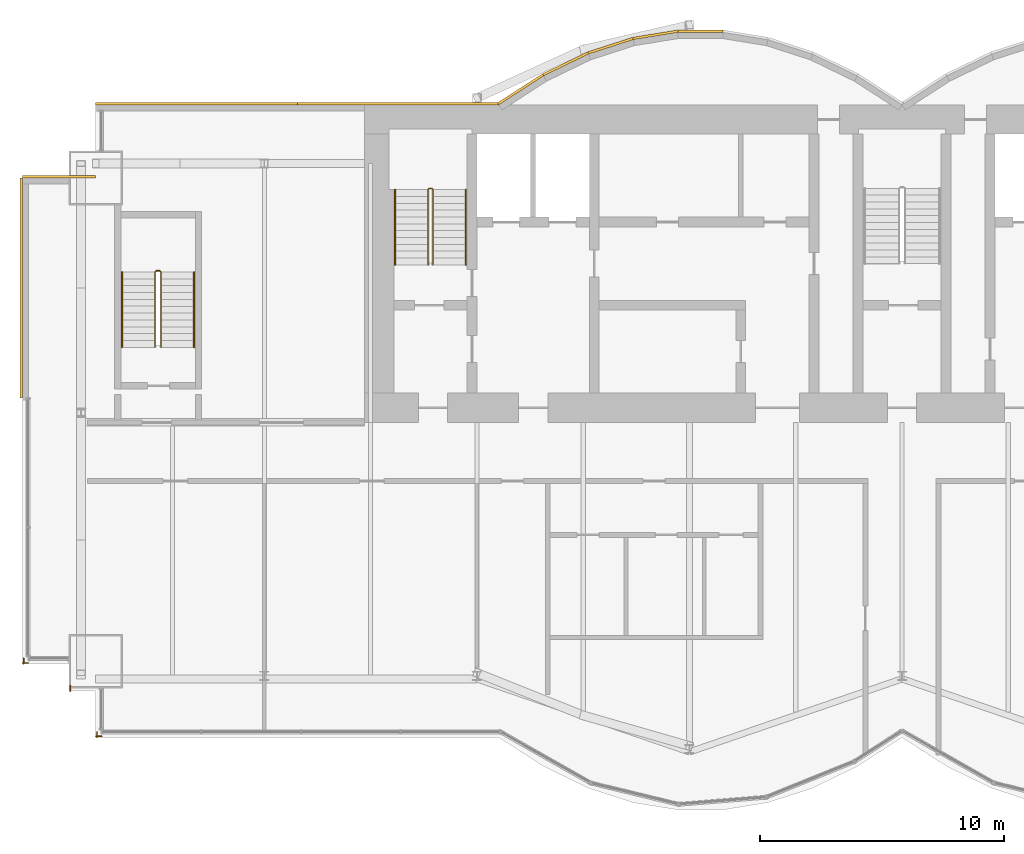
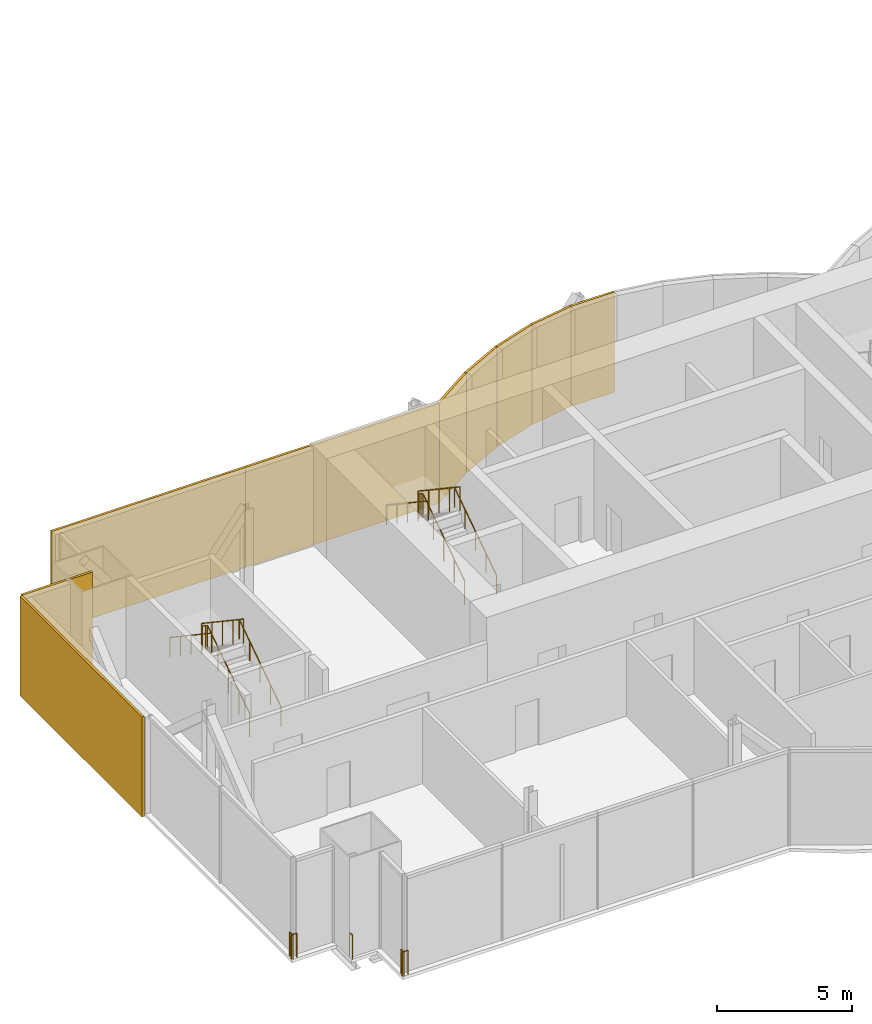
# One storey, part 15 of 17: 9 coverings, 9 railings.
"""IFC4 building model written with IfcOpenShell, lengths in metres."""

from ifc_helpers import new_model, si_unit, direction, frame, origin, origin_2d, place, context, subcontext, project, spatial, rectangle, circle, extrude, material, layer, layer_set, type_object, element, save


model = new_model("IFC4")

# Units and contexts
model_context = context("Model", 3, precision=1e-05, world=origin(), true_north=direction((0.0, 1.0)))
body_context = subcontext(model_context, "Body", "Model", "MODEL_VIEW")
ifc_project = project(units=[si_unit("LENGTHUNIT", "METRE"), si_unit("AREAUNIT", "SQUARE_METRE"), si_unit("VOLUMEUNIT", "CUBIC_METRE"), si_unit("PLANEANGLEUNIT", "RADIAN"), si_unit("MASSUNIT", "GRAM", prefix="KILO")], contexts=[model_context])

# Site, building, storey
site_placement = place(None, origin())
site = spatial("IfcSite", under=ifc_project, at=site_placement, CompositionType="ELEMENT")
building_placement = place(site_placement, origin())
building = spatial("IfcBuilding", under=site, at=building_placement, Name="Bicima Exchange Tower", CompositionType="ELEMENT")
storey_placement = place(building_placement, frame((0.0, 0.0, 320.0)))
storey = spatial("IfcBuildingStorey", under=building, at=storey_placement, Name="L72", CompositionType="ELEMENT", Elevation=320.0)

# Coverings
ifc_material_1 = material(Name="Bronze metal cladding")
ifc_layer_1 = layer(ifc_material_1, 0.004)
ifc_material_2 = material(Name="Ventilated cavity")
ifc_layer_2 = layer(ifc_material_2, 0.06)
ifc_material_3 = material(Name="Galvanised steel rail and mineral wool", Category="steel")
ifc_layer_3 = layer(ifc_material_3, 0.036)
ifc_layer_set = layer_set([ifc_layer_1, ifc_layer_2, ifc_layer_3], Name="Ventilated cavity")
covering_type = type_object("IfcCoveringType", Name="Bronze metal cladding panel 100", PredefinedType="CLADDING", material=ifc_layer_set)
covering_1_placement = place(storey_placement, frame((-8.25, 3.012939453125, -0.14990234375), z_axis=(0.0, 0.0, 1.0), x_axis=(-1.0, 0.0, 0.0)))
element("IfcCovering", 1, at=covering_1_placement, inside=storey, type_object=covering_type, Name="Bronze cladding L72 15.1", PredefinedType="CLADDING", context=body_context, shape_type="SweptSolid", body=[
    extrude(rectangle(XDim=1.83349609375, YDim=0.10009765625, at=origin_2d()), origin(), (0.0, 0.0, 1.0), 4.5),
])
covering_2_placement = place(storey_placement, frame((-10.09130859375, 2.8642578125, -0.14990234375), z_axis=(0.0, 0.0, 1.0), x_axis=(-0.987189786347, -0.159550386184, 0.0)))
element("IfcCovering", 2, at=covering_2_placement, inside=storey, type_object=covering_type, Name="Bronze cladding L72 16.1", PredefinedType="CLADDING", context=body_context, shape_type="SweptSolid", body=[
    extrude(rectangle(XDim=1.857177734375, YDim=0.10009765625, at=origin_2d()), origin(), (0.0, 0.0, 1.0), 4.5),
])
covering_3_placement = place(storey_placement, frame((-11.931884765625, 2.41796875, -0.14990234375), z_axis=(0.0, 0.0, 1.0), x_axis=(-0.951524642381, -0.307572519808, 0.0)))
element("IfcCovering", 3, at=covering_3_placement, inside=storey, type_object=covering_type, Name="Bronze cladding L72 17.1", PredefinedType="CLADDING", context=body_context, shape_type="SweptSolid", body=[
    extrude(rectangle(XDim=1.9267578125, YDim=0.10009765625, at=origin_2d()), origin(), (0.0, 0.0, 1.0), 4.5),
])
covering_4_placement = place(storey_placement, frame((-13.771728515625, 1.674560546875, -0.14990234375), z_axis=(0.0, 0.0, 1.0), x_axis=(-0.899818346812, -0.436264762204, 0.0)))
element("IfcCovering", 4, at=covering_4_placement, inside=storey, type_object=covering_type, Name="Bronze cladding L72 18.1", PredefinedType="CLADDING", context=body_context, shape_type="SweptSolid", body=[
    extrude(rectangle(XDim=2.03759765625, YDim=0.10009765625, at=origin_2d()), origin(), (0.0, 0.0, 1.0), 4.5),
])
covering_5_placement = place(storey_placement, frame((-15.610595703125, 0.634521484375, -0.14990234375), z_axis=(0.0, 0.0, 1.0), x_axis=(-0.839790466384, -0.542910648791, 0.0)))
element("IfcCovering", 5, at=covering_5_placement, inside=storey, type_object=covering_type, Name="Bronze cladding L72 19.1", PredefinedType="CLADDING", context=body_context, shape_type="SweptSolid", body=[
    extrude(rectangle(XDim=2.18310546875, YDim=0.10009765625, at=origin_2d()), origin(), (0.0, 0.0, 1.0), 4.5),
])
for number, where, z_axis, x_axis, name in (
    (6, (-20.625, 0.050048828125, -0.14990234375), (0.0, 0.0, 1.0), (-1.0, 0.0, 0.0), "Bronze cladding L72 20.1"),
    (7, (-28.875, 0.050048828125, -0.14990234375), (0.0, 0.0, 1.0), (-1.0, 0.0, 0.0), "Bronze cladding L72 20.2"),
):
    element("IfcCovering", number, at=place(storey_placement, frame(where, z_axis=z_axis, x_axis=x_axis)), inside=storey, type_object=covering_type, Name=name, PredefinedType="CLADDING", context=body_context, shape_type="SweptSolid", body=[
        extrude(rectangle(XDim=8.25, YDim=0.10009765625, at=origin_2d()), origin(), (0.0, 0.0, 1.0), 4.5),
    ])
covering_6_placement = place(storey_placement, frame((-34.5, -2.949951171875, -0.14990234375), z_axis=(0.0, 0.0, 1.0), x_axis=(-1.0, 0.0, 0.0)))
element("IfcCovering", 8, at=covering_6_placement, inside=storey, type_object=covering_type, Name="Bronze cladding L72 22.1", PredefinedType="CLADDING", context=body_context, shape_type="SweptSolid", body=[
    extrude(rectangle(XDim=3.0, YDim=0.10009765625, at=origin_2d()), origin(), (0.0, 0.0, 1.0), 4.5),
])
covering_7_placement = place(storey_placement, frame((-36.050048828125, -7.5, -0.14990234375), z_axis=(0.0, 0.0, 1.0), x_axis=(0.0, -1.0, 0.0)))
element("IfcCovering", 9, at=covering_7_placement, inside=storey, type_object=covering_type, Name="Bronze cladding L72 23.1", PredefinedType="CLADDING", context=body_context, shape_type="SweptSolid", body=[
    extrude(rectangle(XDim=9.0, YDim=0.10009765625, at=origin_2d()), origin(), (0.0, 0.0, 1.0), 4.5),
])

# Railings
ifc_material_4 = material(Name="Stainless steel and bonded safety glass", Category="steel")
railing_type_1 = type_object("IfcRailingType", Name="Edge guard 1100", PredefinedType="GUARDRAIL", material=ifc_material_4)
railing_1_placement = place(storey_placement, frame((-35.762939453125, -22.845947265625, 0.0)))
element("IfcRailing", 10, at=railing_1_placement, inside=storey, type_object=railing_type_1, Name="Edge guard L72 373", PredefinedType="GUARDRAIL", context=body_context, shape_type="SweptSolid", body=[
    extrude(circle(Radius=0.02392578125, at=origin_2d()), frame((0.0, 0.0, 1.076171875), z_axis=(-1.0, 0.0, 0.0), x_axis=(0.0, -1.0, 0.0)), (0.0, 0.0, 1.0), 0.237060546875),
    extrude(circle(Radius=0.02392578125, at=origin_2d()), frame((-0.237060546875, 0.0, 1.076171875), z_axis=(0.707106781187, -0.707106781187, 0.0), x_axis=(0.707106781187, 0.707106781187, 0.0)), (0.0, 0.0, 1.0), 0.07080078125),
    extrude(circle(Radius=0.02392578125, at=origin_2d()), frame((-0.18701171875, -0.050048828125, 1.076171875), z_axis=(0.0, 1.0, 0.0), x_axis=(-1.0, 0.0, 0.0)), (0.0, 0.0, 1.0), 0.2490234375),
    extrude(circle(Radius=0.02099609375, at=origin_2d()), origin(), (0.0, 0.0, 1.0), 1.052001953125),
    extrude(circle(Radius=0.02099609375, at=origin_2d()), frame((-0.237060546875, 0.0, 0.0)), (0.0, 0.0, 1.0), 1.052001953125),
    extrude(circle(Radius=0.02099609375, at=origin_2d()), frame((-0.18701171875, -0.050048828125, 0.0)), (0.0, 0.0, 1.0), 1.052001953125),
    extrude(circle(Radius=0.02099609375, at=origin_2d()), frame((-0.18701171875, 0.198974609375, 0.0)), (0.0, 0.0, 1.0), 1.052001953125),
])
railing_2_placement = place(storey_placement, frame((-32.75, -25.845947265625, 0.0)))
element("IfcRailing", 11, at=railing_2_placement, inside=storey, type_object=railing_type_1, Name="Edge guard L72 377", PredefinedType="GUARDRAIL", context=body_context, shape_type="SweptSolid", body=[
    extrude(circle(Radius=0.02392578125, at=origin_2d()), frame((0.0, 0.0, 1.076171875), z_axis=(-1.0, 0.0, 0.0), x_axis=(0.0, -1.0, 0.0)), (0.0, 0.0, 1.0), 0.25),
    extrude(circle(Radius=0.02392578125, at=origin_2d()), frame((-0.25, 0.0, 1.076171875), z_axis=(0.707106781187, -0.707106781187, 0.0), x_axis=(0.707106781187, 0.707106781187, 0.0)), (0.0, 0.0, 1.0), 0.07080078125),
    extrude(circle(Radius=0.02392578125, at=origin_2d()), frame((-0.199951171875, -0.050048828125, 1.076171875), z_axis=(0.0, 1.0, 0.0), x_axis=(-1.0, 0.0, 0.0)), (0.0, 0.0, 1.0), 0.237060546875),
    extrude(circle(Radius=0.02099609375, at=origin_2d()), origin(), (0.0, 0.0, 1.0), 1.052001953125),
    extrude(circle(Radius=0.02099609375, at=origin_2d()), frame((-0.25, 0.0, 0.0)), (0.0, 0.0, 1.0), 1.052001953125),
    extrude(circle(Radius=0.02099609375, at=origin_2d()), frame((-0.199951171875, -0.050048828125, 0.0)), (0.0, 0.0, 1.0), 1.052001953125),
    extrude(circle(Radius=0.02099609375, at=origin_2d()), frame((-0.199951171875, 0.18701171875, 0.0)), (0.0, 0.0, 1.0), 1.052001953125),
])
railing_3_placement = place(storey_placement, frame((-34.050048828125, -23.99609375, 0.0)))
element("IfcRailing", 12, at=railing_3_placement, inside=storey, type_object=railing_type_1, Name="Edge guard L72 378", PredefinedType="GUARDRAIL", context=body_context, shape_type="SweptSolid", body=[
    extrude(circle(Radius=0.02392578125, at=origin_2d()), frame((0.0, 0.0, 1.076171875), z_axis=(0.0, 1.0, 0.0), x_axis=(-1.0, 0.0, 0.0)), (0.0, 0.0, 1.0), 0.22021484375),
    extrude(circle(Radius=0.02099609375, at=origin_2d()), origin(), (0.0, 0.0, 1.0), 1.052001953125),
    extrude(circle(Radius=0.02099609375, at=origin_2d()), frame((0.0, 0.22021484375, 0.0)), (0.0, 0.0, 1.0), 1.052001953125),
])
ifc_material_5 = material(Name="Stainless steel", Category="steel")
railing_type_2 = type_object("IfcRailingType", Name="Stair guard 1100", PredefinedType="GUARDRAIL", material=ifc_material_5)
railing_4_placement = place(storey_placement, frame((-19.199951171875, -6.550048828125, 0.1875)))
element("IfcRailing", 13, at=railing_4_placement, inside=storey, type_object=railing_type_2, Name="L72 ST-W stair guard 1", PredefinedType="GUARDRAIL", context=body_context, shape_type="SweptSolid", body=[
    extrude(circle(Radius=0.02392578125, at=origin_2d()), frame((0.0, 0.0, 1.076171875), z_axis=(0.0, 0.830913701846, 0.55640131208), x_axis=(-1.0, 0.0, 0.0)), (0.0, 0.0, 1.0), 3.706787109375),
    extrude(circle(Radius=0.02392578125, at=origin_2d()), frame((0.0, 3.080078125, 3.138671875), z_axis=(-0.707106781187, 0.707106781187, 0.0), x_axis=(-0.707106781187, -0.707106781187, 0.0)), (0.0, 0.0, 1.0), 0.07080078125),
    extrude(circle(Radius=0.02392578125, at=origin_2d()), frame((-0.050048828125, 3.130126953125, 3.138671875), z_axis=(-1.0, 0.0, 0.0), x_axis=(0.0, -1.0, 0.0)), (0.0, 0.0, 1.0), 0.10009765625),
    extrude(circle(Radius=0.02392578125, at=origin_2d()), frame((-0.150146484375, 3.130126953125, 3.138671875), z_axis=(-0.248583702486, -0.249802250048, 0.935844527007), x_axis=(0.708833529934, -0.705375805398, 0.0)), (0.0, 0.0, 1.0), 0.200439453125),
    extrude(circle(Radius=0.02392578125, at=origin_2d()), frame((-0.199951171875, 3.080078125, 3.326171875), z_axis=(0.0, -0.830913701846, 0.55640131208), x_axis=(1.0, 0.0, 0.0)), (0.0, 0.0, 1.0), 3.706787109375),
    extrude(circle(Radius=0.02099609375, at=origin_2d()), origin(), (0.0, 0.0, 1.0), 1.052001953125),
    extrude(circle(Radius=0.02099609375, at=origin_2d()), frame((0.0, 0.77001953125, 0.515625)), (0.0, 0.0, 1.0), 1.052001953125),
    extrude(circle(Radius=0.02099609375, at=origin_2d()), frame((0.0, 1.5400390625, 1.03125)), (0.0, 0.0, 1.0), 1.052001953125),
    extrude(circle(Radius=0.02099609375, at=origin_2d()), frame((0.0, 2.31005859375, 1.546875)), (0.0, 0.0, 1.0), 1.052001953125),
    extrude(circle(Radius=0.02099609375, at=origin_2d()), frame((0.0, 3.080078125, 2.0625)), (0.0, 0.0, 1.0), 1.052001953125),
    extrude(circle(Radius=0.02099609375, at=origin_2d()), frame((-0.050048828125, 3.130126953125, 2.0625)), (0.0, 0.0, 1.0), 1.052001953125),
    extrude(circle(Radius=0.02099609375, at=origin_2d()), frame((-0.150146484375, 3.130126953125, 2.0625)), (0.0, 0.0, 1.0), 1.052001953125),
    extrude(circle(Radius=0.02099609375, at=origin_2d()), frame((-0.199951171875, 3.080078125, 2.25)), (0.0, 0.0, 1.0), 1.052001953125),
    extrude(circle(Radius=0.02099609375, at=origin_2d()), frame((-0.199951171875, 2.31005859375, 2.765625)), (0.0, 0.0, 1.0), 1.052001953125),
    extrude(circle(Radius=0.02099609375, at=origin_2d()), frame((-0.199951171875, 1.5400390625, 3.28125)), (0.0, 0.0, 1.0), 1.052001953125),
    extrude(circle(Radius=0.02099609375, at=origin_2d()), frame((-0.199951171875, 0.77001953125, 3.796875)), (0.0, 0.0, 1.0), 1.052001953125),
    extrude(circle(Radius=0.02099609375, at=origin_2d()), frame((-0.199951171875, 0.0, 4.3125)), (0.0, 0.0, 1.0), 1.052001953125),
])
railing_5_placement = place(storey_placement, frame((-30.324951171875, -9.925048828125, 0.1875)))
element("IfcRailing", 14, at=railing_5_placement, inside=storey, type_object=railing_type_2, Name="L72 ST-WW stair guard 1", PredefinedType="GUARDRAIL", context=body_context, shape_type="SweptSolid", body=[
    extrude(circle(Radius=0.02392578125, at=origin_2d()), frame((0.0, 0.0, 1.076171875), z_axis=(0.0, 0.830913701846, 0.55640131208), x_axis=(-1.0, 0.0, 0.0)), (0.0, 0.0, 1.0), 3.706787109375),
    extrude(circle(Radius=0.02392578125, at=origin_2d()), frame((0.0, 3.080078125, 3.138671875), z_axis=(-0.707106781187, 0.707106781187, 0.0), x_axis=(-0.707106781187, -0.707106781187, 0.0)), (0.0, 0.0, 1.0), 0.07080078125),
    extrude(circle(Radius=0.02392578125, at=origin_2d()), frame((-0.050048828125, 3.130126953125, 3.138671875), z_axis=(-1.0, 0.0, 0.0), x_axis=(0.0, -1.0, 0.0)), (0.0, 0.0, 1.0), 0.14990234375),
    extrude(circle(Radius=0.02392578125, at=origin_2d()), frame((-0.199951171875, 3.130126953125, 3.138671875), z_axis=(-0.249726431254, -0.249726431254, 0.935560483917), x_axis=(0.707106781187, -0.707106781187, 0.0)), (0.0, 0.0, 1.0), 0.200439453125),
    extrude(circle(Radius=0.02392578125, at=origin_2d()), frame((-0.25, 3.080078125, 3.326171875), z_axis=(0.0, -0.830913701846, 0.55640131208), x_axis=(1.0, 0.0, 0.0)), (0.0, 0.0, 1.0), 3.706787109375),
    extrude(circle(Radius=0.02099609375, at=origin_2d()), origin(), (0.0, 0.0, 1.0), 1.052001953125),
    extrude(circle(Radius=0.02099609375, at=origin_2d()), frame((0.0, 0.77001953125, 0.515625)), (0.0, 0.0, 1.0), 1.052001953125),
    extrude(circle(Radius=0.02099609375, at=origin_2d()), frame((0.0, 1.5400390625, 1.03125)), (0.0, 0.0, 1.0), 1.052001953125),
    extrude(circle(Radius=0.02099609375, at=origin_2d()), frame((0.0, 2.31005859375, 1.546875)), (0.0, 0.0, 1.0), 1.052001953125),
    extrude(circle(Radius=0.02099609375, at=origin_2d()), frame((0.0, 3.080078125, 2.0625)), (0.0, 0.0, 1.0), 1.052001953125),
    extrude(circle(Radius=0.02099609375, at=origin_2d()), frame((-0.050048828125, 3.130126953125, 2.0625)), (0.0, 0.0, 1.0), 1.052001953125),
    extrude(circle(Radius=0.02099609375, at=origin_2d()), frame((-0.199951171875, 3.130126953125, 2.0625)), (0.0, 0.0, 1.0), 1.052001953125),
    extrude(circle(Radius=0.02099609375, at=origin_2d()), frame((-0.25, 3.080078125, 2.25)), (0.0, 0.0, 1.0), 1.052001953125),
    extrude(circle(Radius=0.02099609375, at=origin_2d()), frame((-0.25, 2.31005859375, 2.765625)), (0.0, 0.0, 1.0), 1.052001953125),
    extrude(circle(Radius=0.02099609375, at=origin_2d()), frame((-0.25, 1.5400390625, 3.28125)), (0.0, 0.0, 1.0), 1.052001953125),
    extrude(circle(Radius=0.02099609375, at=origin_2d()), frame((-0.25, 0.77001953125, 3.796875)), (0.0, 0.0, 1.0), 1.052001953125),
    extrude(circle(Radius=0.02099609375, at=origin_2d()), frame((-0.25, 0.0, 4.3125)), (0.0, 0.0, 1.0), 1.052001953125),
])
railing_type_3 = type_object("IfcRailingType", Name="Stair handrail 900", PredefinedType="HANDRAIL", material=ifc_material_5)
railing_6_placement = place(storey_placement, frame((-17.85009765625, -6.550048828125, 0.1875)))
element("IfcRailing", 15, at=railing_6_placement, inside=storey, type_object=railing_type_3, Name="L72 ST-W stair handrail 1", PredefinedType="HANDRAIL", context=body_context, shape_type="SweptSolid", body=[
    extrude(circle(Radius=0.02392578125, at=origin_2d()), frame((0.0, 0.0, 0.8759765625), z_axis=(0.0, 0.830913701846, 0.55640131208), x_axis=(-1.0, 0.0, 0.0)), (0.0, 0.0, 1.0), 3.706787109375),
    extrude(circle(Radius=0.02099609375, at=origin_2d()), origin(), (0.0, 0.0, 1.0), 0.851806640625),
    extrude(circle(Radius=0.02099609375, at=origin_2d()), frame((0.0, 0.77001953125, 0.515625)), (0.0, 0.0, 1.0), 0.851806640625),
    extrude(circle(Radius=0.02099609375, at=origin_2d()), frame((0.0, 1.5400390625, 1.03125)), (0.0, 0.0, 1.0), 0.851806640625),
    extrude(circle(Radius=0.02099609375, at=origin_2d()), frame((0.0, 2.31005859375, 1.546875)), (0.0, 0.0, 1.0), 0.851806640625),
    extrude(circle(Radius=0.02099609375, at=origin_2d()), frame((0.0, 3.080078125, 2.0625)), (0.0, 0.0, 1.0), 0.851806640625),
])
railing_7_placement = place(storey_placement, frame((-20.75, -3.469970703125, 2.47900390625)))
element("IfcRailing", 16, at=railing_7_placement, inside=storey, type_object=railing_type_3, Name="L72 ST-W stair handrail 2", PredefinedType="HANDRAIL", context=body_context, shape_type="SweptSolid", body=[
    extrude(circle(Radius=0.02392578125, at=origin_2d()), frame((0.0, 0.0, 0.8759765625), z_axis=(0.0, -0.830913701846, 0.55640131208), x_axis=(1.0, 0.0, 0.0)), (0.0, 0.0, 1.0), 3.706787109375),
    extrude(circle(Radius=0.02099609375, at=origin_2d()), origin(), (0.0, 0.0, 1.0), 0.851806640625),
    extrude(circle(Radius=0.02099609375, at=origin_2d()), frame((0.0, -0.77001953125, 0.515625)), (0.0, 0.0, 1.0), 0.851806640625),
    extrude(circle(Radius=0.02099609375, at=origin_2d()), frame((0.0, -1.5400390625, 1.03125)), (0.0, 0.0, 1.0), 0.851806640625),
    extrude(circle(Radius=0.02099609375, at=origin_2d()), frame((0.0, -2.31005859375, 1.546875)), (0.0, 0.0, 1.0), 0.851806640625),
    extrude(circle(Radius=0.02099609375, at=origin_2d()), frame((0.0, -3.080078125, 2.0625)), (0.0, 0.0, 1.0), 0.851806640625),
])
railing_8_placement = place(storey_placement, frame((-28.97509765625, -9.925048828125, 0.1875)))
element("IfcRailing", 17, at=railing_8_placement, inside=storey, type_object=railing_type_3, Name="L72 ST-WW stair handrail 1", PredefinedType="HANDRAIL", context=body_context, shape_type="SweptSolid", body=[
    extrude(circle(Radius=0.02392578125, at=origin_2d()), frame((0.0, 0.0, 0.8759765625), z_axis=(0.0, 0.830913701846, 0.55640131208), x_axis=(-1.0, 0.0, 0.0)), (0.0, 0.0, 1.0), 3.706787109375),
    extrude(circle(Radius=0.02099609375, at=origin_2d()), origin(), (0.0, 0.0, 1.0), 0.851806640625),
    extrude(circle(Radius=0.02099609375, at=origin_2d()), frame((0.0, 0.77001953125, 0.515625)), (0.0, 0.0, 1.0), 0.851806640625),
    extrude(circle(Radius=0.02099609375, at=origin_2d()), frame((0.0, 1.5400390625, 1.03125)), (0.0, 0.0, 1.0), 0.851806640625),
    extrude(circle(Radius=0.02099609375, at=origin_2d()), frame((0.0, 2.31005859375, 1.546875)), (0.0, 0.0, 1.0), 0.851806640625),
    extrude(circle(Radius=0.02099609375, at=origin_2d()), frame((0.0, 3.080078125, 2.0625)), (0.0, 0.0, 1.0), 0.851806640625),
])
railing_9_placement = place(storey_placement, frame((-31.925048828125, -6.844970703125, 2.47900390625)))
element("IfcRailing", 18, at=railing_9_placement, inside=storey, type_object=railing_type_3, Name="L72 ST-WW stair handrail 2", PredefinedType="HANDRAIL", context=body_context, shape_type="SweptSolid", body=[
    extrude(circle(Radius=0.02392578125, at=origin_2d()), frame((0.0, 0.0, 0.8759765625), z_axis=(0.0, -0.830913701846, 0.55640131208), x_axis=(1.0, 0.0, 0.0)), (0.0, 0.0, 1.0), 3.706787109375),
    extrude(circle(Radius=0.02099609375, at=origin_2d()), origin(), (0.0, 0.0, 1.0), 0.851806640625),
    extrude(circle(Radius=0.02099609375, at=origin_2d()), frame((0.0, -0.77001953125, 0.515625)), (0.0, 0.0, 1.0), 0.851806640625),
    extrude(circle(Radius=0.02099609375, at=origin_2d()), frame((0.0, -1.5400390625, 1.03125)), (0.0, 0.0, 1.0), 0.851806640625),
    extrude(circle(Radius=0.02099609375, at=origin_2d()), frame((0.0, -2.31005859375, 1.546875)), (0.0, 0.0, 1.0), 0.851806640625),
    extrude(circle(Radius=0.02099609375, at=origin_2d()), frame((0.0, -3.080078125, 2.0625)), (0.0, 0.0, 1.0), 0.851806640625),
])

save(model, "model.ifc")
